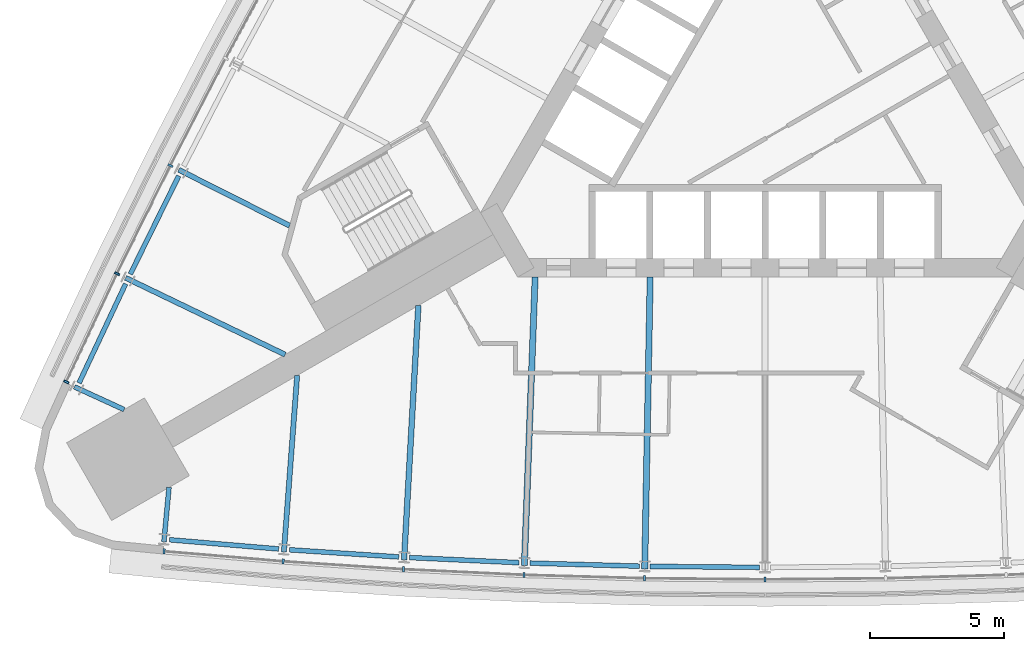
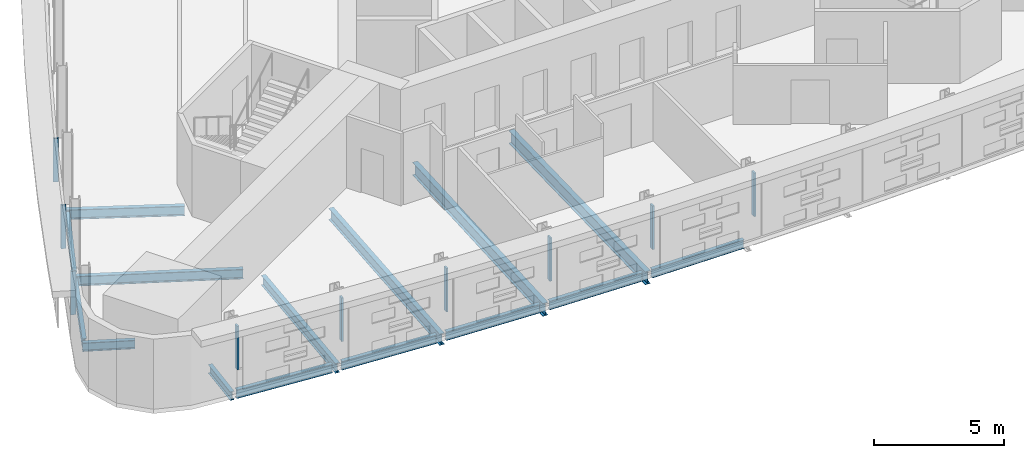
# One storey, part 2 of 14: 15 beams, 9 members, 2 elements without a shape of their own.
"""IFC4 building model written with IfcOpenShell, lengths in metres."""

from ifc_helpers import new_model, si_unit, direction, frame, origin, origin_2d, place, context, subcontext, project, spatial, rectangle, i_section, extrude, material, material_profile, profile_set, type_object, element, aggregate, save


model = new_model("IFC4")

# Units and contexts
model_context = context("Model", 3, precision=1e-05, world=origin(), true_north=direction((0.0, 1.0)))
body_context = subcontext(model_context, "Body", "Model", "MODEL_VIEW")
ifc_project = project(units=[si_unit("LENGTHUNIT", "METRE"), si_unit("AREAUNIT", "SQUARE_METRE"), si_unit("VOLUMEUNIT", "CUBIC_METRE"), si_unit("PLANEANGLEUNIT", "RADIAN"), si_unit("MASSUNIT", "GRAM", prefix="KILO")], contexts=[model_context])

# Site, building, storey
site_placement = place(None, origin())
site = spatial("IfcSite", under=ifc_project, at=site_placement, CompositionType="ELEMENT")
building_placement = place(site_placement, origin())
building = spatial("IfcBuilding", under=site, at=building_placement, Name="Noor Cloister Tower", CompositionType="ELEMENT")
storey_placement = place(building_placement, frame((0.0, 0.0, 38.39990234375)))
storey = spatial("IfcBuildingStorey", under=building, at=storey_placement, Name="L09", CompositionType="ELEMENT", Elevation=38.39990234375)

# Curtain wall, members
ifc_material_1 = material(Name="Aluminium 6063-T6 anodised", Category="aluminium")
curtain_wall_type = type_object("IfcCurtainWallType", Name="Ribbon curtain wall, lower tower CW1", PredefinedType="NOTDEFINED", material=ifc_material_1)
curtain_wall_1_placement = place(storey_placement, origin())
curtain_wall_1 = element("IfcCurtainWall", 1, at=curtain_wall_1_placement, inside=storey, type_object=curtain_wall_type, Name="CW1 L09 NW run 1", PredefinedType="NOTDEFINED")
ifc_material_2 = material(Name="Aluminium 6063-T6 anodised", Category="aluminium")
ifc_material_profile_1 = material_profile(ifc_material_2, rectangle(XDim=0.199951171875, YDim=0.080078125, at=origin_2d()), Name="200 x 80 mullion")
ifc_profile_set_1 = profile_set([ifc_material_profile_1], Name="Aluminium 6063-T6 anodised")
member_type = type_object("IfcMemberType", Name="Mullion CW1 80 x 200", PredefinedType="MULLION", material=ifc_profile_set_1)
member_1_placement = place(storey_placement, frame((-22.18310546875, -2.766357421875, 1.10009765625), z_axis=(0.0, 0.0, 1.0), x_axis=(0.892735341075, -0.450581414169, 0.0)))
member_1 = element("IfcMember", 2, at=member_1_placement, type_object=member_type, Name="CW1 mullion 9", PredefinedType="MULLION", context=body_context, shape_type="SweptSolid", body=[
    extrude(rectangle(XDim=0.199951171875, YDim=0.080078125, at=origin_2d()), origin(), (0.0, 0.0, 1.0), 2.050048828125),
])
member_2_placement = place(storey_placement, frame((-24.172119140625, -6.80078125, 1.10009765625), z_axis=(0.0, 0.0, 1.0), x_axis=(0.901016538018, -0.43378473719, 0.0)))
member_2 = element("IfcMember", 3, at=member_2_placement, type_object=member_type, Name="CW1 mullion 10", PredefinedType="MULLION", context=body_context, shape_type="SweptSolid", body=[
    extrude(rectangle(XDim=0.199951171875, YDim=0.080078125, at=origin_2d()), origin(), (0.0, 0.0, 1.0), 2.050048828125),
])
member_3_placement = place(storey_placement, frame((-26.068603515625, -10.83642578125, 1.10009765625), z_axis=(0.0, 0.0, 1.0), x_axis=(0.905038812816, -0.425328987134, 0.0)))
member_3 = element("IfcMember", 4, at=member_3_placement, type_object=member_type, Name="CW1 mullion 11", PredefinedType="MULLION", context=body_context, shape_type="SweptSolid", body=[
    extrude(rectangle(XDim=0.199951171875, YDim=0.080078125, at=origin_2d()), origin(), (0.0, 0.0, 1.0), 2.050048828125),
])
aggregate(curtain_wall_1, [member_1, member_2, member_3])

curtain_wall_2_placement = place(storey_placement, origin())
curtain_wall_2 = element("IfcCurtainWall", 5, at=curtain_wall_2_placement, inside=storey, type_object=curtain_wall_type, Name="CW1 L09 S run 2", PredefinedType="NOTDEFINED")
member_4_placement = place(storey_placement, frame((-22.4189453125, -17.157958984375, 1.10009765625), z_axis=(0.0, 0.0, 1.0), x_axis=(0.084173698584, 0.996451096877, 0.0)))
member_4 = element("IfcMember", 6, at=member_4_placement, type_object=member_type, Name="CW1 mullion 1", PredefinedType="MULLION", context=body_context, shape_type="SweptSolid", body=[
    extrude(rectangle(XDim=0.199951171875, YDim=0.080078125, at=origin_2d()), origin(), (0.0, 0.0, 1.0), 2.050048828125),
])
member_5_placement = place(storey_placement, frame((-17.9755859375, -17.533203125, 1.10009765625), z_axis=(0.0, 0.0, 1.0), x_axis=(0.074839666829, 0.997195579748, 0.0)))
member_5 = element("IfcMember", 7, at=member_5_placement, type_object=member_type, Name="CW1 mullion 2", PredefinedType="MULLION", context=body_context, shape_type="SweptSolid", body=[
    extrude(rectangle(XDim=0.199951171875, YDim=0.080078125, at=origin_2d()), origin(), (0.0, 0.0, 1.0), 2.050048828125),
])
member_6_placement = place(storey_placement, frame((-13.4873046875, -17.827880859375, 1.10009765625), z_axis=(0.0, 0.0, 1.0), x_axis=(0.056152719394, 0.998422191312, 0.0)))
member_6 = element("IfcMember", 8, at=member_6_placement, type_object=member_type, Name="CW1 mullion 3", PredefinedType="MULLION", context=body_context, shape_type="SweptSolid", body=[
    extrude(rectangle(XDim=0.199951171875, YDim=0.080078125, at=origin_2d()), origin(), (0.0, 0.0, 1.0), 2.050048828125),
])
member_7_placement = place(storey_placement, frame((-8.994140625, -18.038330078125, 1.10009765625), z_axis=(0.0, 0.0, 1.0), x_axis=(0.037446096272, 0.99929864899, 0.0)))
member_7 = element("IfcMember", 9, at=member_7_placement, type_object=member_type, Name="CW1 mullion 4", PredefinedType="MULLION", context=body_context, shape_type="SweptSolid", body=[
    extrude(rectangle(XDim=0.199951171875, YDim=0.080078125, at=origin_2d()), origin(), (0.0, 0.0, 1.0), 2.050048828125),
])
member_8_placement = place(storey_placement, frame((-4.497802734375, -18.164794921875, 1.10009765625), z_axis=(0.0, 0.0, 1.0), x_axis=(0.018726323132, 0.999824647037, 0.0)))
member_8 = element("IfcMember", 10, at=member_8_placement, type_object=member_type, Name="CW1 mullion 5", PredefinedType="MULLION", context=body_context, shape_type="SweptSolid", body=[
    extrude(rectangle(XDim=0.199951171875, YDim=0.080078125, at=origin_2d()), origin(), (0.0, 0.0, 1.0), 2.050048828125),
])
member_9_placement = place(storey_placement, frame((0.0, -18.206787109375, 1.10009765625), z_axis=(0.0, 0.0, 1.0), x_axis=(0.0, 1.0, 0.0)))
member_9 = element("IfcMember", 11, at=member_9_placement, type_object=member_type, Name="CW1 mullion 6", PredefinedType="MULLION", context=body_context, shape_type="SweptSolid", body=[
    extrude(rectangle(XDim=0.199951171875, YDim=0.080078125, at=origin_2d()), origin(), (0.0, 0.0, 1.0), 2.050048828125),
])
aggregate(curtain_wall_2, [member_4, member_5, member_6, member_7, member_8, member_9])

# Beams
ifc_material_3 = material(Name="Steel ASTM A992 Gr 50", Category="steel")
ifc_material_profile_2 = material_profile(ifc_material_3, i_section(OverallWidth=0.177978515625, OverallDepth=0.406005859375, WebThickness=0.0078125, FlangeThickness=0.0126953125, FilletRadius=0.01025390625, at=origin_2d()), Name="W410x60")
ifc_profile_set_2 = profile_set([ifc_material_profile_2], Name="Steel ASTM A992 Gr 50")
beam_type_1 = type_object("IfcBeamType", Name="Radial beam W410x60", PredefinedType="BEAM", material=ifc_profile_set_2)
for number, where, z_axis, x_axis, name in (
    (12, (-25.764404296875, -11.018798828125, -0.40283203125), (0.908989304817, -0.416819437801, 0.0), (0.416819437801, 0.908989304817, 0.0), "Radial beam NW 11 L09"),
    (13, (-22.4248046875, -16.80322265625, -0.40283203125), (0.093533376396, 0.995616144656, 0.0), (-0.995616144656, 0.093533376396, 0.0), "Radial beam S 01 L09"),
):
    element("IfcBeam", number, at=place(storey_placement, frame(where, z_axis=z_axis, x_axis=x_axis)), inside=storey, type_object=beam_type_1, Name=name, PredefinedType="BEAM", context=body_context, shape_type="SweptSolid", body=[
        extrude(i_section(OverallWidth=0.177978515625, OverallDepth=0.406005859375, WebThickness=0.0078125, FlangeThickness=0.0126953125, FilletRadius=0.01025390625, at=origin_2d()), origin(), (0.0, 0.0, 1.0), 2.041259765625),
    ])
ifc_material_4 = material(Name="Steel ASTM A992 Gr 50", Category="steel")
ifc_material_profile_3 = material_profile(ifc_material_4, i_section(OverallWidth=0.19091796875, OverallDepth=0.45703125, WebThickness=0.009033203125, FlangeThickness=0.014404296875, FilletRadius=0.01025390625, at=origin_2d()), Name="W460x74")
ifc_profile_set_3 = profile_set([ifc_material_profile_3], Name="Steel ASTM A992 Gr 50")
beam_type_2 = type_object("IfcBeamType", Name="Radial beam W460x74", PredefinedType="BEAM", material=ifc_profile_set_3)
beam_1_placement = place(storey_placement, frame((-21.867919921875, -2.925537109375, -0.428466796875), z_axis=(0.892743942628, -0.450564371541, 0.0), x_axis=(0.450564371541, 0.892743942628, 0.0)))
element("IfcBeam", 14, at=beam_1_placement, inside=storey, type_object=beam_type_2, Name="Radial beam NW 09 L09", PredefinedType="BEAM", context=body_context, shape_type="SweptSolid", body=[
    extrude(i_section(OverallWidth=0.19091796875, OverallDepth=0.45703125, WebThickness=0.009033203125, FlangeThickness=0.014404296875, FilletRadius=0.01025390625, at=origin_2d()), origin(), (0.0, 0.0, 1.0), 4.629638671875),
])
beam_2_placement = place(storey_placement, frame((-23.85400390625, -6.953857421875, -0.428466796875), z_axis=(0.901019869253, -0.433777817795, 0.0), x_axis=(0.433777817795, 0.901019869253, 0.0)))
element("IfcBeam", 15, at=beam_2_placement, inside=storey, type_object=beam_type_2, Name="Radial beam NW 10 L09", PredefinedType="BEAM", context=body_context, shape_type="SweptSolid", body=[
    extrude(i_section(OverallWidth=0.19091796875, OverallDepth=0.45703125, WebThickness=0.009033203125, FlangeThickness=0.014404296875, FilletRadius=0.01025390625, at=origin_2d()), origin(), (0.0, 0.0, 1.0), 6.6025390625),
])
beam_3_placement = place(storey_placement, frame((-17.94921875, -17.18115234375, -0.428466796875), z_axis=(0.074844186113, 0.997195240565, 0.0), x_axis=(-0.997195240565, 0.074844186113, 0.0)))
element("IfcBeam", 16, at=beam_3_placement, inside=storey, type_object=beam_type_2, Name="Radial beam S 02 L09", PredefinedType="BEAM", context=body_context, shape_type="SweptSolid", body=[
    extrude(i_section(OverallWidth=0.19091796875, OverallDepth=0.45703125, WebThickness=0.009033203125, FlangeThickness=0.014404296875, FilletRadius=0.01025390625, at=origin_2d()), origin(), (0.0, 0.0, 1.0), 6.602294921875),
])
ifc_material_5 = material(Name="Steel ASTM A992 Gr 50", Category="steel")
ifc_material_profile_4 = material_profile(ifc_material_5, i_section(OverallWidth=0.208984375, OverallDepth=0.532958984375, WebThickness=0.01025390625, FlangeThickness=0.015625, FilletRadius=0.0126953125, at=origin_2d()), Name="W530x92")
ifc_profile_set_4 = profile_set([ifc_material_profile_4], Name="Steel ASTM A992 Gr 50")
beam_type_3 = type_object("IfcBeamType", Name="Radial beam W530x92", PredefinedType="BEAM", material=ifc_profile_set_4)
beam_4_placement = place(storey_placement, frame((-13.467529296875, -17.475341796875, -0.46630859375), z_axis=(0.056158660451, 0.998421857161, 0.0), x_axis=(-0.998421857161, 0.056158660451, 0.0)))
element("IfcBeam", 17, at=beam_4_placement, inside=storey, type_object=beam_type_3, Name="Radial beam S 03 L09", PredefinedType="BEAM", context=body_context, shape_type="SweptSolid", body=[
    extrude(i_section(OverallWidth=0.208984375, OverallDepth=0.532958984375, WebThickness=0.01025390625, FlangeThickness=0.015625, FilletRadius=0.0126953125, at=origin_2d()), origin(), (0.0, 0.0, 1.0), 9.503173828125),
])
ifc_material_6 = material(Name="Steel ASTM A992 Gr 50", Category="steel")
ifc_material_profile_5 = material_profile(ifc_material_6, i_section(OverallWidth=0.22802734375, OverallDepth=0.60205078125, WebThickness=0.010498046875, FlangeThickness=0.014892578125, FilletRadius=0.0126953125, at=origin_2d()), Name="W610x101")
ifc_profile_set_5 = profile_set([ifc_material_profile_5], Name="Steel ASTM A992 Gr 50")
beam_type_4 = type_object("IfcBeamType", Name="Radial beam W610x101", PredefinedType="BEAM", material=ifc_profile_set_5)
beam_5_placement = place(storey_placement, frame((-8.98095703125, -17.685546875, -0.5009765625), z_axis=(0.037443652595, 0.999298740558, 0.0), x_axis=(-0.999298740558, 0.037443652595, 0.0)))
element("IfcBeam", 18, at=beam_5_placement, inside=storey, type_object=beam_type_4, Name="Radial beam S 04 L09", PredefinedType="BEAM", context=body_context, shape_type="SweptSolid", body=[
    extrude(i_section(OverallWidth=0.22802734375, OverallDepth=0.60205078125, WebThickness=0.010498046875, FlangeThickness=0.014892578125, FilletRadius=0.0126953125, at=origin_2d()), origin(), (0.0, 0.0, 1.0), 10.764892578125),
])
ifc_material_7 = material(Name="Steel ASTM A992 Gr 50", Category="steel")
ifc_material_profile_6 = material_profile(ifc_material_7, i_section(OverallWidth=0.22900390625, OverallDepth=0.612060546875, WebThickness=0.011962890625, FlangeThickness=0.01953125, FilletRadius=0.0126953125, at=origin_2d()), Name="W610x125")
ifc_profile_set_6 = profile_set([ifc_material_profile_6], Name="Steel ASTM A992 Gr 50")
beam_type_5 = type_object("IfcBeamType", Name="Radial beam W610x125", PredefinedType="BEAM", material=ifc_profile_set_6)
beam_6_placement = place(storey_placement, frame((-4.4912109375, -17.811767578125, -0.505859375), z_axis=(0.01872750761, 0.999824624851, 0.0), x_axis=(-0.999824624851, 0.01872750761, 0.0)))
element("IfcBeam", 19, at=beam_6_placement, inside=storey, type_object=beam_type_5, Name="Radial beam S 05 L09", PredefinedType="BEAM", context=body_context, shape_type="SweptSolid", body=[
    extrude(i_section(OverallWidth=0.22900390625, OverallDepth=0.612060546875, WebThickness=0.011962890625, FlangeThickness=0.01953125, FilletRadius=0.0126953125, at=origin_2d()), origin(), (0.0, 0.0, 1.0), 10.885498046875),
])
ifc_material_8 = material(Name="Steel ASTM A992 Gr 50", Category="steel")
ifc_material_profile_7 = material_profile(ifc_material_8, i_section(OverallWidth=0.177978515625, OverallDepth=0.406005859375, WebThickness=0.0078125, FlangeThickness=0.0126953125, FilletRadius=0.01025390625, at=origin_2d()), Name="W410x60")
ifc_profile_set_7 = profile_set([ifc_material_profile_7], Name="Steel ASTM A992 Gr 50")
beam_type_6 = type_object("IfcBeamType", Name="Spandrel beam W410x60", PredefinedType="SPANDREL", material=ifc_profile_set_7)
beam_7_placement = place(storey_placement, frame((-21.87060546875, -3.150390625, -0.40283203125), z_axis=(-0.442210832263, -0.896911132626, 0.0), x_axis=(0.896911132626, -0.442210832263, 0.0)))
element("IfcBeam", 20, at=beam_7_placement, inside=storey, type_object=beam_type_6, Name="Spandrel beam NW 09 L09", PredefinedType="SPANDREL", context=body_context, shape_type="SweptSolid", body=[
    extrude(i_section(OverallWidth=0.177978515625, OverallDepth=0.406005859375, WebThickness=0.0078125, FlangeThickness=0.0126953125, FilletRadius=0.01025390625, at=origin_2d()), origin(), (0.0, 0.0, 1.0), 4.08544921875),
])
beam_8_placement = place(storey_placement, frame((-23.8525390625, -7.1787109375, -0.40283203125), z_axis=(-0.425330795052, -0.905037963171, 0.0), x_axis=(0.905037963171, -0.425330795052, 0.0)))
element("IfcBeam", 21, at=beam_8_placement, inside=storey, type_object=beam_type_6, Name="Spandrel beam NW 10 L09", PredefinedType="SPANDREL", context=body_context, shape_type="SweptSolid", body=[
    extrude(i_section(OverallWidth=0.177978515625, OverallDepth=0.406005859375, WebThickness=0.0078125, FlangeThickness=0.0126953125, FilletRadius=0.01025390625, at=origin_2d()), origin(), (0.0, 0.0, 1.0), 4.085693359375),
])
beam_9_placement = place(storey_placement, frame((-22.21435546875, -16.7236328125, -0.40283203125), z_axis=(0.996454080445, -0.08413837153, 0.0), x_axis=(0.08413837153, 0.996454080445, 0.0)))
element("IfcBeam", 22, at=beam_9_placement, inside=storey, type_object=beam_type_6, Name="Spandrel beam S 01 L09", PredefinedType="SPANDREL", context=body_context, shape_type="SweptSolid", body=[
    extrude(i_section(OverallWidth=0.177978515625, OverallDepth=0.406005859375, WebThickness=0.0078125, FlangeThickness=0.0126953125, FilletRadius=0.01025390625, at=origin_2d()), origin(), (0.0, 0.0, 1.0), 4.08544921875),
])
beam_10_placement = place(storey_placement, frame((-17.740478515625, -17.09765625, -0.40283203125), z_axis=(0.997853109694, -0.065491766467, 0.0), x_axis=(0.065491766467, 0.997853109694, 0.0)))
element("IfcBeam", 23, at=beam_10_placement, inside=storey, type_object=beam_type_6, Name="Spandrel beam S 02 L09", PredefinedType="SPANDREL", context=body_context, shape_type="SweptSolid", body=[
    extrude(i_section(OverallWidth=0.177978515625, OverallDepth=0.406005859375, WebThickness=0.0078125, FlangeThickness=0.0126953125, FilletRadius=0.01025390625, at=origin_2d()), origin(), (0.0, 0.0, 1.0), 4.085693359375),
])
beam_11_placement = place(storey_placement, frame((-13.26025390625, -17.387939453125, -0.40283203125), z_axis=(0.998904745987, -0.046790046429, 0.0), x_axis=(0.046790046429, 0.998904745987, 0.0)))
element("IfcBeam", 24, at=beam_11_placement, inside=storey, type_object=beam_type_6, Name="Spandrel beam S 03 L09", PredefinedType="SPANDREL", context=body_context, shape_type="SweptSolid", body=[
    extrude(i_section(OverallWidth=0.177978515625, OverallDepth=0.406005859375, WebThickness=0.0078125, FlangeThickness=0.0126953125, FilletRadius=0.01025390625, at=origin_2d()), origin(), (0.0, 0.0, 1.0), 4.08544921875),
])
for number, where, z_axis, x_axis, name in (
    (25, (-8.775390625, -17.59423828125, -0.40283203125), (0.999605523948, -0.028085521058, 0.0), (0.028085521058, 0.999605523948, 0.0), "Spandrel beam S 04 L09"),
    (26, (-4.287353515625, -17.716552734375, -0.40283203125), (0.99995599104, -0.009381683435, 0.0), (0.009381683435, 0.99995599104, 0.0), "Spandrel beam S 05 L09"),
):
    element("IfcBeam", number, at=place(storey_placement, frame(where, z_axis=z_axis, x_axis=x_axis)), inside=storey, type_object=beam_type_6, Name=name, PredefinedType="SPANDREL", context=body_context, shape_type="SweptSolid", body=[
        extrude(i_section(OverallWidth=0.177978515625, OverallDepth=0.406005859375, WebThickness=0.0078125, FlangeThickness=0.0126953125, FilletRadius=0.01025390625, at=origin_2d()), origin(), (0.0, 0.0, 1.0), 4.085693359375),
    ])

save(model, "model.ifc")
